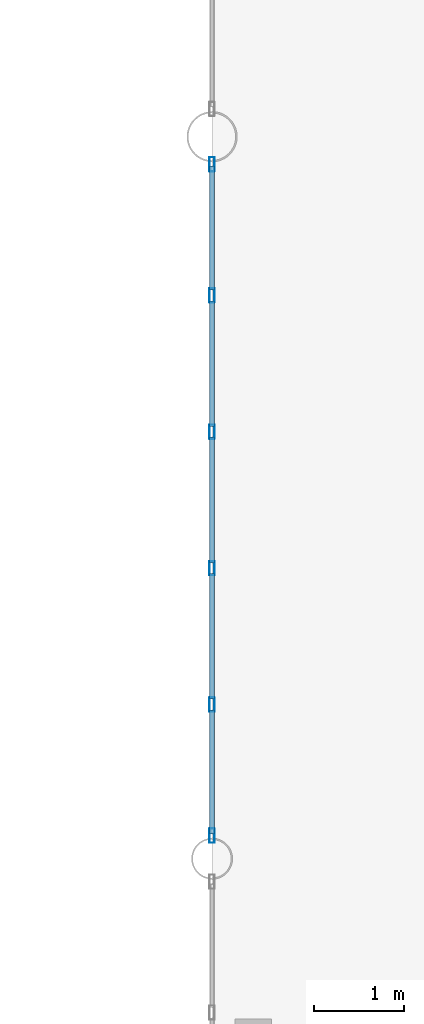
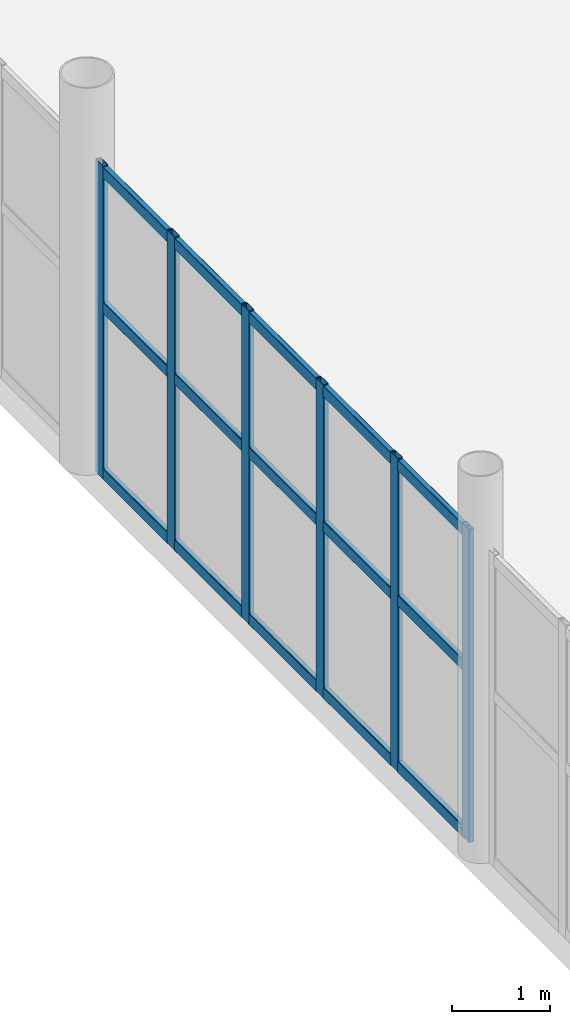
# One storey, part 36 of 178: 21 members, 1 element without a shape of its own.
"""IFC4 building model written with IfcOpenShell, lengths in metres."""

from ifc_helpers import new_model, si_unit, derived_unit, direction, frame, origin, origin_2d, place, context, subcontext, project, spatial, hollow_rectangle, extrude, material, material_profile, profile_set, type_object, element, aggregate, save


model = new_model("IFC4")

# Units and contexts
model_context = context("Model", 3, precision=1e-05, world=origin(), true_north=direction((0.0, 1.0)))
body_context = subcontext(model_context, "Body", "Model", "MODEL_VIEW")
ifc_project = project(units=[si_unit("LENGTHUNIT", "METRE"), si_unit("AREAUNIT", "SQUARE_METRE"), si_unit("VOLUMEUNIT", "CUBIC_METRE"), si_unit("PLANEANGLEUNIT", "RADIAN"), si_unit("MASSUNIT", "GRAM", prefix="KILO"), derived_unit("THERMALTRANSMITTANCEUNIT", [(si_unit("MASSUNIT", "GRAM", prefix="KILO"), 1), (si_unit("TIMEUNIT", "SECOND"), -3), (si_unit("THERMODYNAMICTEMPERATUREUNIT", "KELVIN"), -1)])], contexts=[model_context])

# Site, building, storey
site_placement = place(None, origin())
site = spatial("IfcSite", under=ifc_project, at=site_placement, CompositionType="ELEMENT")
building_placement = place(site_placement, origin())
building = spatial("IfcBuilding", under=site, at=building_placement, Name="Zhenchuan Archway Interchange", CompositionType="ELEMENT")
storey_placement = place(building_placement, frame((0.0, 0.0, 5.39990234375)))
storey = spatial("IfcBuildingStorey", under=building, at=storey_placement, Name="L01", CompositionType="ELEMENT", Elevation=5.39990234375)

# Curtain wall, members
ifc_material = material(Name="Anodised Aluminium", Category="aluminium")
curtain_wall_type = type_object("IfcCurtainWallType", Name="CW_UNIT_3", PredefinedType="NOTDEFINED", material=ifc_material)
curtain_wall_placement = place(storey_placement, origin())
curtain_wall = element("IfcCurtainWall", 1, at=curtain_wall_placement, inside=storey, type_object=curtain_wall_type, Name="Unitised curtain wall CW:L01:030", PredefinedType="NOTDEFINED")
ifc_material_profile_1 = material_profile(ifc_material, hollow_rectangle(XDim=0.06005859375, YDim=0.159912109375, WallThickness=0.00390625, InnerFilletRadius=0.00390625, OuterFilletRadius=0.008056640625, at=origin_2d()), Name="ALU 160x60x4")
ifc_profile_set_1 = profile_set([ifc_material_profile_1], Name="Anodised Aluminium")
member_type_1 = type_object("IfcMemberType", Name="CW_MUL_150", PredefinedType="MULLION", material=ifc_profile_set_1)
member_1_placement = place(storey_placement, frame((18.0, 32.255615234375, 0.0), z_axis=(0.0, 0.0, 1.0), x_axis=(1.0, 0.0, 0.0)))
member_1 = element("IfcMember", 2, at=member_1_placement, type_object=member_type_1, Name="CW:L01:030 mullion 0", PredefinedType="MULLION", context=body_context, shape_type="SweptSolid", body=[
    extrude(hollow_rectangle(XDim=0.06005859375, YDim=0.159912109375, WallThickness=0.00390625, InnerFilletRadius=0.00390625, OuterFilletRadius=0.008056640625, at=origin_2d()), origin(), (0.0, 0.0, 1.0), 3.880126953125),
])
member_2_placement = place(storey_placement, frame((18.0, 33.70703125, 0.0), z_axis=(0.0, 0.0, 1.0), x_axis=(1.0, 0.0, 0.0)))
member_2 = element("IfcMember", 3, at=member_2_placement, type_object=member_type_1, Name="CW:L01:030 mullion 1", PredefinedType="MULLION", context=body_context, shape_type="SweptSolid", body=[
    extrude(hollow_rectangle(XDim=0.06005859375, YDim=0.159912109375, WallThickness=0.00390625, InnerFilletRadius=0.00390625, OuterFilletRadius=0.008056640625, at=origin_2d()), origin(), (0.0, 0.0, 1.0), 3.880126953125),
])
member_3_placement = place(storey_placement, frame((18.0, 35.21875, 0.0), z_axis=(0.0, 0.0, 1.0), x_axis=(1.0, 0.0, 0.0)))
member_3 = element("IfcMember", 4, at=member_3_placement, type_object=member_type_1, Name="CW:L01:030 mullion 2", PredefinedType="MULLION", context=body_context, shape_type="SweptSolid", body=[
    extrude(hollow_rectangle(XDim=0.06005859375, YDim=0.159912109375, WallThickness=0.00390625, InnerFilletRadius=0.00390625, OuterFilletRadius=0.008056640625, at=origin_2d()), origin(), (0.0, 0.0, 1.0), 3.880126953125),
])
member_4_placement = place(storey_placement, frame((18.0, 36.730224609375, 0.0), z_axis=(0.0, 0.0, 1.0), x_axis=(1.0, 0.0, 0.0)))
member_4 = element("IfcMember", 5, at=member_4_placement, type_object=member_type_1, Name="CW:L01:030 mullion 3", PredefinedType="MULLION", context=body_context, shape_type="SweptSolid", body=[
    extrude(hollow_rectangle(XDim=0.06005859375, YDim=0.159912109375, WallThickness=0.00390625, InnerFilletRadius=0.00390625, OuterFilletRadius=0.008056640625, at=origin_2d()), origin(), (0.0, 0.0, 1.0), 3.880126953125),
])
member_5_placement = place(storey_placement, frame((18.0, 38.241943359375, 0.0), z_axis=(0.0, 0.0, 1.0), x_axis=(1.0, 0.0, 0.0)))
member_5 = element("IfcMember", 6, at=member_5_placement, type_object=member_type_1, Name="CW:L01:030 mullion 4", PredefinedType="MULLION", context=body_context, shape_type="SweptSolid", body=[
    extrude(hollow_rectangle(XDim=0.06005859375, YDim=0.159912109375, WallThickness=0.00390625, InnerFilletRadius=0.00390625, OuterFilletRadius=0.008056640625, at=origin_2d()), origin(), (0.0, 0.0, 1.0), 3.880126953125),
])
member_6_placement = place(storey_placement, frame((18.0, 39.693603515625, 0.0), z_axis=(0.0, 0.0, 1.0), x_axis=(1.0, 0.0, 0.0)))
member_6 = element("IfcMember", 7, at=member_6_placement, type_object=member_type_1, Name="CW:L01:030 mullion 5", PredefinedType="MULLION", context=body_context, shape_type="SweptSolid", body=[
    extrude(hollow_rectangle(XDim=0.06005859375, YDim=0.159912109375, WallThickness=0.00390625, InnerFilletRadius=0.00390625, OuterFilletRadius=0.008056640625, at=origin_2d()), origin(), (0.0, 0.0, 1.0), 3.880126953125),
])
ifc_material_profile_2 = material_profile(ifc_material, hollow_rectangle(XDim=0.06005859375, YDim=0.139892578125, WallThickness=0.00341796875, InnerFilletRadius=0.00341796875, OuterFilletRadius=0.007080078125, at=origin_2d()), Name="ALU 140x60x3.5")
ifc_profile_set_2 = profile_set([ifc_material_profile_2], Name="Anodised Aluminium")
member_type_2 = type_object("IfcMemberType", Name="CW_TRN_140", PredefinedType="USERDEFINED", material=ifc_profile_set_2)
member_7_placement = place(storey_placement, frame((18.0, 32.275390625, 0.06005859375), z_axis=(0.0, 1.0, 0.0), x_axis=(-1.0, 0.0, 0.0)))
member_7 = element("IfcMember", 8, at=member_7_placement, type_object=member_type_2, Name="CW:L01:030 transom 0-1", ObjectType="TRANSOM", PredefinedType="USERDEFINED", context=body_context, shape_type="SweptSolid", body=[
    extrude(hollow_rectangle(XDim=0.06005859375, YDim=0.139892578125, WallThickness=0.00341796875, InnerFilletRadius=0.00341796875, OuterFilletRadius=0.007080078125, at=origin_2d()), origin(), (0.0, 0.0, 1.0), 1.371826171875),
])
member_8_placement = place(storey_placement, frame((18.0, 32.275390625, 2.123046875), z_axis=(0.0, 1.0, 0.0), x_axis=(-1.0, 0.0, 0.0)))
member_8 = element("IfcMember", 9, at=member_8_placement, type_object=member_type_2, Name="CW:L01:030 transom 0-2", ObjectType="TRANSOM", PredefinedType="USERDEFINED", context=body_context, shape_type="SweptSolid", body=[
    extrude(hollow_rectangle(XDim=0.06005859375, YDim=0.139892578125, WallThickness=0.00341796875, InnerFilletRadius=0.00341796875, OuterFilletRadius=0.007080078125, at=origin_2d()), origin(), (0.0, 0.0, 1.0), 1.371826171875),
])
member_9_placement = place(storey_placement, frame((18.0, 32.275390625, 3.800048828125), z_axis=(0.0, 1.0, 0.0), x_axis=(-1.0, 0.0, 0.0)))
member_9 = element("IfcMember", 10, at=member_9_placement, type_object=member_type_2, Name="CW:L01:030 transom 0-3", ObjectType="TRANSOM", PredefinedType="USERDEFINED", context=body_context, shape_type="SweptSolid", body=[
    extrude(hollow_rectangle(XDim=0.06005859375, YDim=0.139892578125, WallThickness=0.00341796875, InnerFilletRadius=0.00341796875, OuterFilletRadius=0.007080078125, at=origin_2d()), origin(), (0.0, 0.0, 1.0), 1.371826171875),
])
member_10_placement = place(storey_placement, frame((18.0, 33.76708984375, 0.06005859375), z_axis=(0.0, 1.0, 0.0), x_axis=(-1.0, 0.0, 0.0)))
member_10 = element("IfcMember", 11, at=member_10_placement, type_object=member_type_2, Name="CW:L01:030 transom 1-1", ObjectType="TRANSOM", PredefinedType="USERDEFINED", context=body_context, shape_type="SweptSolid", body=[
    extrude(hollow_rectangle(XDim=0.06005859375, YDim=0.139892578125, WallThickness=0.00341796875, InnerFilletRadius=0.00341796875, OuterFilletRadius=0.007080078125, at=origin_2d()), origin(), (0.0, 0.0, 1.0), 1.3916015625),
])
member_11_placement = place(storey_placement, frame((18.0, 33.76708984375, 2.123046875), z_axis=(0.0, 1.0, 0.0), x_axis=(-1.0, 0.0, 0.0)))
member_11 = element("IfcMember", 12, at=member_11_placement, type_object=member_type_2, Name="CW:L01:030 transom 1-2", ObjectType="TRANSOM", PredefinedType="USERDEFINED", context=body_context, shape_type="SweptSolid", body=[
    extrude(hollow_rectangle(XDim=0.06005859375, YDim=0.139892578125, WallThickness=0.00341796875, InnerFilletRadius=0.00341796875, OuterFilletRadius=0.007080078125, at=origin_2d()), origin(), (0.0, 0.0, 1.0), 1.3916015625),
])
member_12_placement = place(storey_placement, frame((18.0, 33.76708984375, 3.800048828125), z_axis=(0.0, 1.0, 0.0), x_axis=(-1.0, 0.0, 0.0)))
member_12 = element("IfcMember", 13, at=member_12_placement, type_object=member_type_2, Name="CW:L01:030 transom 1-3", ObjectType="TRANSOM", PredefinedType="USERDEFINED", context=body_context, shape_type="SweptSolid", body=[
    extrude(hollow_rectangle(XDim=0.06005859375, YDim=0.139892578125, WallThickness=0.00341796875, InnerFilletRadius=0.00341796875, OuterFilletRadius=0.007080078125, at=origin_2d()), origin(), (0.0, 0.0, 1.0), 1.3916015625),
])
member_13_placement = place(storey_placement, frame((18.0, 35.27880859375, 0.06005859375), z_axis=(0.0, 1.0, 0.0), x_axis=(-1.0, 0.0, 0.0)))
member_13 = element("IfcMember", 14, at=member_13_placement, type_object=member_type_2, Name="CW:L01:030 transom 2-1", ObjectType="TRANSOM", PredefinedType="USERDEFINED", context=body_context, shape_type="SweptSolid", body=[
    extrude(hollow_rectangle(XDim=0.06005859375, YDim=0.139892578125, WallThickness=0.00341796875, InnerFilletRadius=0.00341796875, OuterFilletRadius=0.007080078125, at=origin_2d()), origin(), (0.0, 0.0, 1.0), 1.3916015625),
])
member_14_placement = place(storey_placement, frame((18.0, 35.27880859375, 2.123046875), z_axis=(0.0, 1.0, 0.0), x_axis=(-1.0, 0.0, 0.0)))
member_14 = element("IfcMember", 15, at=member_14_placement, type_object=member_type_2, Name="CW:L01:030 transom 2-2", ObjectType="TRANSOM", PredefinedType="USERDEFINED", context=body_context, shape_type="SweptSolid", body=[
    extrude(hollow_rectangle(XDim=0.06005859375, YDim=0.139892578125, WallThickness=0.00341796875, InnerFilletRadius=0.00341796875, OuterFilletRadius=0.007080078125, at=origin_2d()), origin(), (0.0, 0.0, 1.0), 1.3916015625),
])
member_15_placement = place(storey_placement, frame((18.0, 35.27880859375, 3.800048828125), z_axis=(0.0, 1.0, 0.0), x_axis=(-1.0, 0.0, 0.0)))
member_15 = element("IfcMember", 16, at=member_15_placement, type_object=member_type_2, Name="CW:L01:030 transom 2-3", ObjectType="TRANSOM", PredefinedType="USERDEFINED", context=body_context, shape_type="SweptSolid", body=[
    extrude(hollow_rectangle(XDim=0.06005859375, YDim=0.139892578125, WallThickness=0.00341796875, InnerFilletRadius=0.00341796875, OuterFilletRadius=0.007080078125, at=origin_2d()), origin(), (0.0, 0.0, 1.0), 1.3916015625),
])
member_16_placement = place(storey_placement, frame((18.0, 36.790283203125, 0.06005859375), z_axis=(0.0, 1.0, 0.0), x_axis=(-1.0, 0.0, 0.0)))
member_16 = element("IfcMember", 17, at=member_16_placement, type_object=member_type_2, Name="CW:L01:030 transom 3-1", ObjectType="TRANSOM", PredefinedType="USERDEFINED", context=body_context, shape_type="SweptSolid", body=[
    extrude(hollow_rectangle(XDim=0.06005859375, YDim=0.139892578125, WallThickness=0.00341796875, InnerFilletRadius=0.00341796875, OuterFilletRadius=0.007080078125, at=origin_2d()), origin(), (0.0, 0.0, 1.0), 1.3916015625),
])
member_17_placement = place(storey_placement, frame((18.0, 36.790283203125, 2.123046875), z_axis=(0.0, 1.0, 0.0), x_axis=(-1.0, 0.0, 0.0)))
member_17 = element("IfcMember", 18, at=member_17_placement, type_object=member_type_2, Name="CW:L01:030 transom 3-2", ObjectType="TRANSOM", PredefinedType="USERDEFINED", context=body_context, shape_type="SweptSolid", body=[
    extrude(hollow_rectangle(XDim=0.06005859375, YDim=0.139892578125, WallThickness=0.00341796875, InnerFilletRadius=0.00341796875, OuterFilletRadius=0.007080078125, at=origin_2d()), origin(), (0.0, 0.0, 1.0), 1.3916015625),
])
member_18_placement = place(storey_placement, frame((18.0, 36.790283203125, 3.800048828125), z_axis=(0.0, 1.0, 0.0), x_axis=(-1.0, 0.0, 0.0)))
member_18 = element("IfcMember", 19, at=member_18_placement, type_object=member_type_2, Name="CW:L01:030 transom 3-3", ObjectType="TRANSOM", PredefinedType="USERDEFINED", context=body_context, shape_type="SweptSolid", body=[
    extrude(hollow_rectangle(XDim=0.06005859375, YDim=0.139892578125, WallThickness=0.00341796875, InnerFilletRadius=0.00341796875, OuterFilletRadius=0.007080078125, at=origin_2d()), origin(), (0.0, 0.0, 1.0), 1.3916015625),
])
member_19_placement = place(storey_placement, frame((18.0, 38.302001953125, 0.06005859375), z_axis=(0.0, 1.0, 0.0), x_axis=(-1.0, 0.0, 0.0)))
member_19 = element("IfcMember", 20, at=member_19_placement, type_object=member_type_2, Name="CW:L01:030 transom 4-1", ObjectType="TRANSOM", PredefinedType="USERDEFINED", context=body_context, shape_type="SweptSolid", body=[
    extrude(hollow_rectangle(XDim=0.06005859375, YDim=0.139892578125, WallThickness=0.00341796875, InnerFilletRadius=0.00341796875, OuterFilletRadius=0.007080078125, at=origin_2d()), origin(), (0.0, 0.0, 1.0), 1.37158203125),
])
member_20_placement = place(storey_placement, frame((18.0, 38.302001953125, 2.123046875), z_axis=(0.0, 1.0, 0.0), x_axis=(-1.0, 0.0, 0.0)))
member_20 = element("IfcMember", 21, at=member_20_placement, type_object=member_type_2, Name="CW:L01:030 transom 4-2", ObjectType="TRANSOM", PredefinedType="USERDEFINED", context=body_context, shape_type="SweptSolid", body=[
    extrude(hollow_rectangle(XDim=0.06005859375, YDim=0.139892578125, WallThickness=0.00341796875, InnerFilletRadius=0.00341796875, OuterFilletRadius=0.007080078125, at=origin_2d()), origin(), (0.0, 0.0, 1.0), 1.37158203125),
])
member_21_placement = place(storey_placement, frame((18.0, 38.302001953125, 3.800048828125), z_axis=(0.0, 1.0, 0.0), x_axis=(-1.0, 0.0, 0.0)))
member_21 = element("IfcMember", 22, at=member_21_placement, type_object=member_type_2, Name="CW:L01:030 transom 4-3", ObjectType="TRANSOM", PredefinedType="USERDEFINED", context=body_context, shape_type="SweptSolid", body=[
    extrude(hollow_rectangle(XDim=0.06005859375, YDim=0.139892578125, WallThickness=0.00341796875, InnerFilletRadius=0.00341796875, OuterFilletRadius=0.007080078125, at=origin_2d()), origin(), (0.0, 0.0, 1.0), 1.37158203125),
])
aggregate(curtain_wall, [member_1, member_2, member_3, member_4, member_5, member_6, member_7, member_8, member_9, member_10, member_11, member_12, member_13, member_14, member_15, member_16, member_17, member_18, member_19, member_20, member_21])

save(model, "model.ifc")
